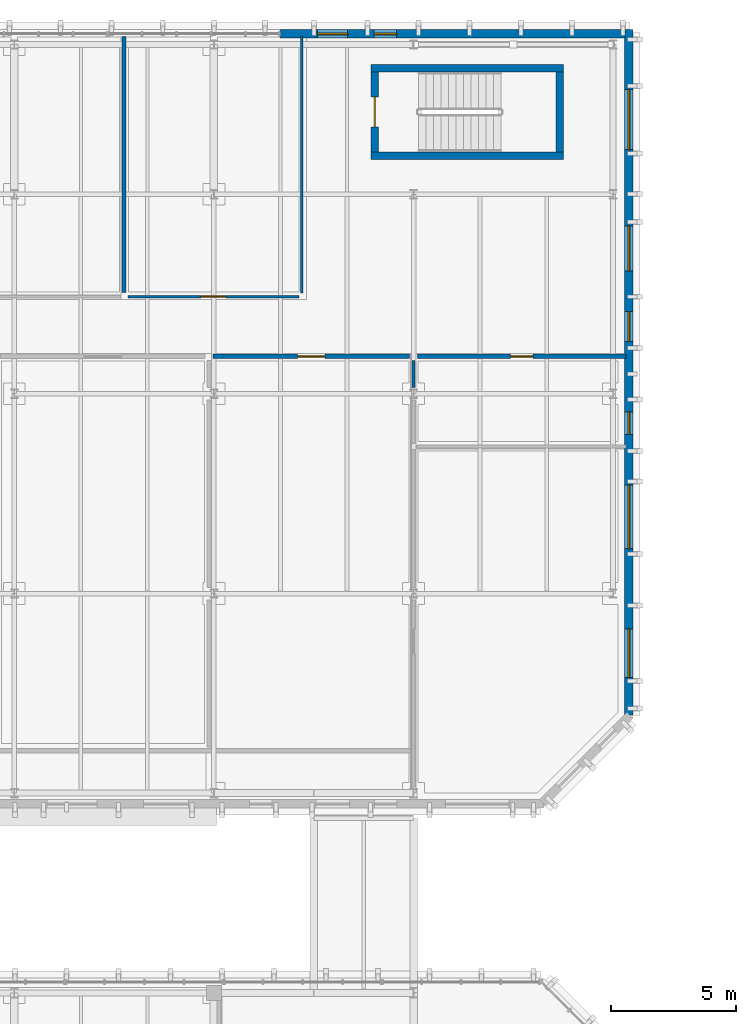
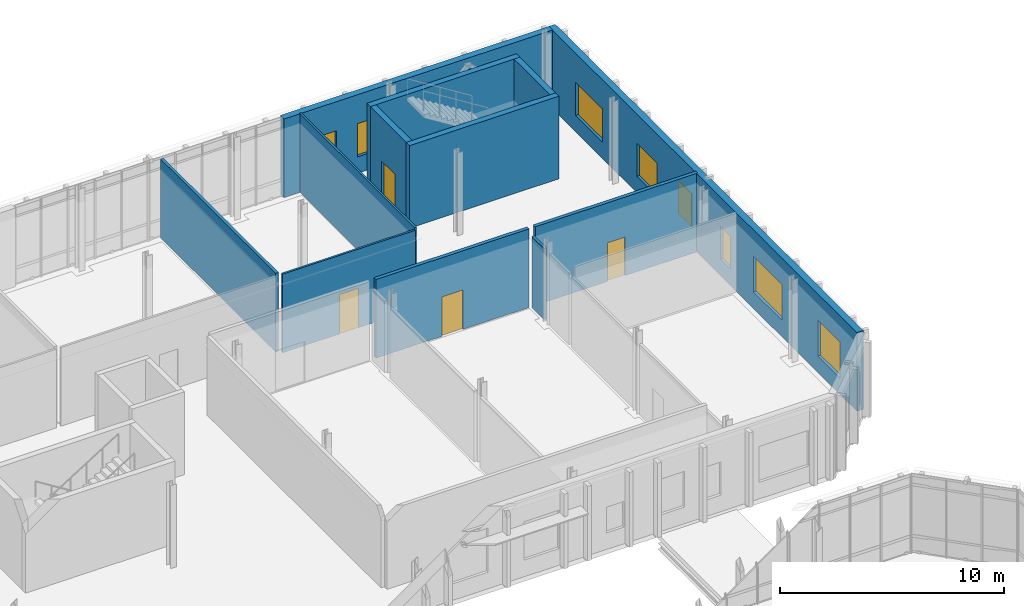
# One storey, part 44 of 62: 12 walls, 8 windows, 4 doors, 12 openings.
"""IFC4 building model written with IfcOpenShell, lengths in metres."""

from ifc_helpers import new_model, si_unit, direction, frame, frame_2d, origin, place, context, subcontext, project, spatial, rectangle, extrude, material, layer, layer_set, type_object, element, fill, save


model = new_model("IFC4")

# Units and contexts
model_context = context("Model", 3, precision=1e-05, world=origin(), true_north=direction((0.0, 1.0)))
body_context = subcontext(model_context, "Body", "Model", "MODEL_VIEW")
ifc_project = project(units=[si_unit("LENGTHUNIT", "METRE"), si_unit("AREAUNIT", "SQUARE_METRE"), si_unit("VOLUMEUNIT", "CUBIC_METRE"), si_unit("PLANEANGLEUNIT", "RADIAN"), si_unit("MASSUNIT", "GRAM", prefix="KILO")], contexts=[model_context])

# Site, building, storey
site_placement = place(None, origin())
site = spatial("IfcSite", under=ifc_project, at=site_placement, CompositionType="ELEMENT")
building_placement = place(site_placement, origin())
building = spatial("IfcBuilding", under=site, at=building_placement, Name="Cymarion Research Institute", CompositionType="ELEMENT")
storey_placement = place(building_placement, frame((0.0, 0.0, 18.300048828125)))
storey = spatial("IfcBuildingStorey", under=building, at=storey_placement, Name="L04", CompositionType="ELEMENT", Elevation=18.300048828125)

# Wall, openings, windows
ifc_material_1 = material(Name="Precast concrete C40/50", Category="concrete")
ifc_layer_1 = layer(ifc_material_1, 0.340087890625)
ifc_layer_set_1 = layer_set([ifc_layer_1], Name="Precast concrete C40/50")
wall_type_1 = type_object("IfcWallType", Name="EXTERIOR WALL EW-PC340 340MM", PredefinedType="SOLIDWALL", material=ifc_layer_set_1)
wall_1_placement = place(storey_placement, frame((47.22998046875, 88.622802734375, 0.0), z_axis=(0.0, 0.0, 1.0), x_axis=(0.0, 1.0, 0.0)))
wall_1 = element("IfcWall", 1, at=wall_1_placement, inside=storey, type_object=wall_type_1, Name="L04 V5 exterior wall EW-PC340 #215", PredefinedType="SOLIDWALL", context=body_context, shape_type="SweptSolid", body=[
    extrude(rectangle(XDim=27.477294921875, YDim=0.340087890625, at=frame_2d((13.73876953125, 0.0))), origin(), (0.0, 0.0, 1.0), 4.280029296875),
])
opening_1_placement = place(wall_1_placement, frame((1.513916015625, 0.0, 0.89990234375)))
opening_1 = element("IfcOpeningElement", 2, at=opening_1_placement, cuts=wall_1, Name="Opening W29", PredefinedType="OPENING", context=body_context, shape_type="SweptSolid", body=[
    extrude(rectangle(XDim=1.949951171875, YDim=1.949951171875, at=frame_2d((0.97509765625, 0.97509765625))), frame((0.0, 0.179931640625, 0.0), z_axis=(0.0, -1.0, 0.0), x_axis=(1.0, 0.0, 0.0)), (0.0, 0.0, 1.0), 0.360107421875),
])
opening_2_placement = place(wall_1_placement, frame((6.672119140625, 0.0, 0.89990234375)))
opening_2 = element("IfcOpeningElement", 3, at=opening_2_placement, cuts=wall_1, Name="Opening W31", PredefinedType="OPENING", context=body_context, shape_type="SweptSolid", body=[
    extrude(rectangle(XDim=2.550048828125, YDim=1.949951171875, at=frame_2d((1.27490234375, 0.97509765625))), frame((0.0, 0.179931640625, 0.0), z_axis=(0.0, -1.0, 0.0), x_axis=(1.0, 0.0, 0.0)), (0.0, 0.0, 1.0), 0.360107421875),
])
opening_3_placement = place(wall_1_placement, frame((11.257080078125, 0.0, 0.89990234375)))
opening_3 = element("IfcOpeningElement", 4, at=opening_3_placement, cuts=wall_1, Name="Opening W24", PredefinedType="OPENING", context=body_context, shape_type="SweptSolid", body=[
    extrude(rectangle(XDim=0.89990234375, YDim=1.800048828125, at=frame_2d((0.449951171875, 0.89990234375))), frame((0.0, 0.179931640625, 0.0), z_axis=(0.0, -1.0, 0.0), x_axis=(1.0, 0.0, 0.0)), (0.0, 0.0, 1.0), 0.360107421875),
])
opening_4_placement = place(wall_1_placement, frame((14.97705078125, 0.0, 0.89990234375)))
opening_4 = element("IfcOpeningElement", 5, at=opening_4_placement, cuts=wall_1, Name="Opening W01", PredefinedType="OPENING", context=body_context, shape_type="SweptSolid", body=[
    extrude(rectangle(XDim=1.199951171875, YDim=1.800048828125, at=frame_2d((0.60009765625, 0.89990234375))), frame((0.0, 0.179931640625, 0.0), z_axis=(0.0, -1.0, 0.0), x_axis=(1.0, 0.0, 0.0)), (0.0, 0.0, 1.0), 0.360107421875),
])
opening_5_placement = place(wall_1_placement, frame((17.806884765625, 0.0, 0.89990234375)))
opening_5 = element("IfcOpeningElement", 6, at=opening_5_placement, cuts=wall_1, Name="Opening W03", PredefinedType="OPENING", context=body_context, shape_type="SweptSolid", body=[
    extrude(rectangle(XDim=1.800048828125, YDim=1.800048828125, at=frame_2d((0.89990234375, 0.89990234375))), frame((0.0, 0.179931640625, 0.0), z_axis=(0.0, -1.0, 0.0), x_axis=(1.0, 0.0, 0.0)), (0.0, 0.0, 1.0), 0.360107421875),
])
opening_6_placement = place(wall_1_placement, frame((22.6669921875, 0.0, 0.89990234375)))
opening_6 = element("IfcOpeningElement", 7, at=opening_6_placement, cuts=wall_1, Name="Opening W05", PredefinedType="OPENING", context=body_context, shape_type="SweptSolid", body=[
    extrude(rectangle(XDim=2.39990234375, YDim=1.800048828125, at=frame_2d((1.199951171875, 0.89990234375))), frame((0.0, 0.179931640625, 0.0), z_axis=(0.0, -1.0, 0.0), x_axis=(1.0, 0.0, 0.0)), (0.0, 0.0, 1.0), 0.360107421875),
])
ifc_material_2 = material(Name="Thermally broken aluminium window with Low-E glazing", Category="aluminium")
window_type_1 = type_object("IfcWindowType", Name="THERMALLY BROKEN ALUMINIUM WINDOW W01 1200X1800", PartitioningType="SINGLE_PANEL", PredefinedType="WINDOW", material=ifc_material_2)
window_1_placement = place(opening_4_placement, origin())
window_1 = element("IfcWindow", 8, at=window_1_placement, inside=storey, type_object=window_type_1, Name="L04 V5 facade window W01 #399", OverallHeight=1.800048828125, OverallWidth=1.199951171875, PartitioningType="SINGLE_PANEL", PredefinedType="WINDOW", context=body_context, shape_type="SweptSolid", body=[
    extrude(rectangle(XDim=1.199951171875, YDim=1.800048828125, at=frame_2d((0.60009765625, 0.89990234375))), frame((0.0, 0.030029296875, 0.0), z_axis=(0.0, -1.0, 0.0), x_axis=(1.0, 0.0, 0.0)), (0.0, 0.0, 1.0), 0.06005859375),
])
fill(opening_4, window_1)
window_type_2 = type_object("IfcWindowType", Name="THERMALLY BROKEN ALUMINIUM WINDOW W03 1800X1800", PartitioningType="DOUBLE_PANEL_VERTICAL", PredefinedType="WINDOW", material=ifc_material_2)
window_2_placement = place(opening_5_placement, origin())
window_2 = element("IfcWindow", 9, at=window_2_placement, inside=storey, type_object=window_type_2, Name="L04 V5 facade window W03 #400", OverallHeight=1.800048828125, OverallWidth=1.800048828125, PartitioningType="SINGLE_PANEL", PredefinedType="WINDOW", context=body_context, shape_type="SweptSolid", body=[
    extrude(rectangle(XDim=1.800048828125, YDim=1.800048828125, at=frame_2d((0.89990234375, 0.89990234375))), frame((0.0, 0.030029296875, 0.0), z_axis=(0.0, -1.0, 0.0), x_axis=(1.0, 0.0, 0.0)), (0.0, 0.0, 1.0), 0.06005859375),
])
fill(opening_5, window_2)
window_type_3 = type_object("IfcWindowType", Name="THERMALLY BROKEN ALUMINIUM WINDOW W05 2400X1800", PartitioningType="TRIPLE_PANEL_VERTICAL", PredefinedType="WINDOW", material=ifc_material_2)
window_3_placement = place(opening_6_placement, origin())
window_3 = element("IfcWindow", 10, at=window_3_placement, inside=storey, type_object=window_type_3, Name="L04 V5 facade window W05 #401", OverallHeight=1.800048828125, OverallWidth=2.39990234375, PartitioningType="SINGLE_PANEL", PredefinedType="WINDOW", context=body_context, shape_type="SweptSolid", body=[
    extrude(rectangle(XDim=2.39990234375, YDim=1.800048828125, at=frame_2d((1.199951171875, 0.89990234375))), frame((0.0, 0.030029296875, 0.0), z_axis=(0.0, -1.0, 0.0), x_axis=(1.0, 0.0, 0.0)), (0.0, 0.0, 1.0), 0.06005859375),
])
fill(opening_6, window_3)
window_type_4 = type_object("IfcWindowType", Name="THERMALLY BROKEN ALUMINIUM WINDOW W24 900X1800", PartitioningType="SINGLE_PANEL", PredefinedType="WINDOW", material=ifc_material_2)
window_4_placement = place(opening_3_placement, origin())
window_4 = element("IfcWindow", 11, at=window_4_placement, inside=storey, type_object=window_type_4, Name="L04 V5 facade window W24 #398", OverallHeight=1.800048828125, OverallWidth=0.89990234375, PartitioningType="SINGLE_PANEL", PredefinedType="WINDOW", context=body_context, shape_type="SweptSolid", body=[
    extrude(rectangle(XDim=0.89990234375, YDim=1.800048828125, at=frame_2d((0.449951171875, 0.89990234375))), frame((0.0, 0.030029296875, 0.0), z_axis=(0.0, -1.0, 0.0), x_axis=(1.0, 0.0, 0.0)), (0.0, 0.0, 1.0), 0.06005859375),
])
fill(opening_3, window_4)
window_type_5 = type_object("IfcWindowType", Name="THERMALLY BROKEN ALUMINIUM WINDOW W29 1950X1950", PartitioningType="DOUBLE_PANEL_VERTICAL", PredefinedType="WINDOW", material=ifc_material_2)
window_5_placement = place(opening_1_placement, origin())
window_5 = element("IfcWindow", 12, at=window_5_placement, inside=storey, type_object=window_type_5, Name="L04 V5 facade window W29 #396", OverallHeight=1.949951171875, OverallWidth=1.949951171875, PartitioningType="SINGLE_PANEL", PredefinedType="WINDOW", context=body_context, shape_type="SweptSolid", body=[
    extrude(rectangle(XDim=1.949951171875, YDim=1.949951171875, at=frame_2d((0.97509765625, 0.97509765625))), frame((0.0, 0.030029296875, 0.0), z_axis=(0.0, -1.0, 0.0), x_axis=(1.0, 0.0, 0.0)), (0.0, 0.0, 1.0), 0.06005859375),
])
fill(opening_1, window_5)
window_type_6 = type_object("IfcWindowType", Name="THERMALLY BROKEN ALUMINIUM WINDOW W31 2550X1950", PartitioningType="TRIPLE_PANEL_VERTICAL", PredefinedType="WINDOW", material=ifc_material_2)
window_6_placement = place(opening_2_placement, origin())
window_6 = element("IfcWindow", 13, at=window_6_placement, inside=storey, type_object=window_type_6, Name="L04 V5 facade window W31 #397", OverallHeight=1.949951171875, OverallWidth=2.550048828125, PartitioningType="SINGLE_PANEL", PredefinedType="WINDOW", context=body_context, shape_type="SweptSolid", body=[
    extrude(rectangle(XDim=2.550048828125, YDim=1.949951171875, at=frame_2d((1.27490234375, 0.97509765625))), frame((0.0, 0.030029296875, 0.0), z_axis=(0.0, -1.0, 0.0), x_axis=(1.0, 0.0, 0.0)), (0.0, 0.0, 1.0), 0.06005859375),
])
fill(opening_2, window_6)

wall_2_placement = place(storey_placement, frame((47.077880859375, 115.929931640625, 0.0), z_axis=(0.0, 0.0, 1.0), x_axis=(-1.0, 0.0, 0.0)))
wall_2 = element("IfcWall", 14, at=wall_2_placement, inside=storey, type_object=wall_type_1, Name="L04 V5 facade pier wall EW-PC340 #216", PredefinedType="SOLIDWALL", context=body_context, shape_type="SweptSolid", body=[
    extrude(rectangle(XDim=13.825927734375, YDim=0.340087890625, at=frame_2d((6.9130859375, 0.0))), origin(), (0.0, 0.0, 1.0), 4.280029296875),
])
opening_7_placement = place(wall_2_placement, frame((9.157958984375, 0.0, 0.89990234375)))
opening_7 = element("IfcOpeningElement", 15, at=opening_7_placement, cuts=wall_2, Name="Opening W24", PredefinedType="OPENING", context=body_context, shape_type="SweptSolid", body=[
    extrude(rectangle(XDim=0.89990234375, YDim=1.800048828125, at=frame_2d((0.449951171875, 0.89990234375))), frame((0.0, 0.179931640625, 0.0), z_axis=(0.0, -1.0, 0.0), x_axis=(1.0, 0.0, 0.0)), (0.0, 0.0, 1.0), 0.360107421875),
])
opening_8_placement = place(wall_2_placement, frame((11.117919921875, 0.0, 0.89990234375)))
opening_8 = element("IfcOpeningElement", 16, at=opening_8_placement, cuts=wall_2, Name="Opening W01", PredefinedType="OPENING", context=body_context, shape_type="SweptSolid", body=[
    extrude(rectangle(XDim=1.199951171875, YDim=1.800048828125, at=frame_2d((0.60009765625, 0.89990234375))), frame((0.0, 0.179931640625, 0.0), z_axis=(0.0, -1.0, 0.0), x_axis=(1.0, 0.0, 0.0)), (0.0, 0.0, 1.0), 0.360107421875),
])
window_7_placement = place(opening_8_placement, origin())
window_7 = element("IfcWindow", 17, at=window_7_placement, inside=storey, type_object=window_type_1, Name="L04 V5 facade window W01 #403", OverallHeight=1.800048828125, OverallWidth=1.199951171875, PartitioningType="SINGLE_PANEL", PredefinedType="WINDOW", context=body_context, shape_type="SweptSolid", body=[
    extrude(rectangle(XDim=1.199951171875, YDim=1.800048828125, at=frame_2d((0.60009765625, 0.89990234375))), frame((0.0, 0.030029296875, 0.0), z_axis=(0.0, -1.0, 0.0), x_axis=(1.0, 0.0, 0.0)), (0.0, 0.0, 1.0), 0.06005859375),
])
fill(opening_8, window_7)
window_8_placement = place(opening_7_placement, origin())
window_8 = element("IfcWindow", 18, at=window_8_placement, inside=storey, type_object=window_type_4, Name="L04 V5 facade window W24 #402", OverallHeight=1.800048828125, OverallWidth=0.89990234375, PartitioningType="SINGLE_PANEL", PredefinedType="WINDOW", context=body_context, shape_type="SweptSolid", body=[
    extrude(rectangle(XDim=0.89990234375, YDim=1.800048828125, at=frame_2d((0.449951171875, 0.89990234375))), frame((0.0, 0.030029296875, 0.0), z_axis=(0.0, -1.0, 0.0), x_axis=(1.0, 0.0, 0.0)), (0.0, 0.0, 1.0), 0.06005859375),
])
fill(opening_7, window_8)

# Walls
ifc_material_3 = material(Name="Gypsum acoustic double-stud partition", Category="gypsum")
ifc_layer_2 = layer(ifc_material_3, 0.14990234375)
ifc_layer_set_2 = layer_set([ifc_layer_2], Name="Gypsum acoustic double-stud partition")
wall_type_2 = type_object("IfcWallType", Name="INTERIOR PARTITION IW-AC150 150MM", PredefinedType="PARTITIONING", material=ifc_layer_set_2)
wall_3_placement = place(storey_placement, frame((27.0, 105.56005859375, 0.0), z_axis=(0.0, 0.0, 1.0), x_axis=(0.0, 1.0, 0.0)))
element("IfcWall", 19, at=wall_3_placement, inside=storey, type_object=wall_type_2, Name="L04 V5 interior partition IW-AC150 #307", PredefinedType="PARTITIONING", context=body_context, shape_type="SweptSolid", body=[
    extrude(rectangle(XDim=10.2548828125, YDim=0.14990234375, at=frame_2d((5.12744140625, 0.0))), origin(), (0.0, 0.0, 1.0), 4.280029296875),
])
ifc_material_4 = material(Name="Framed acoustic glass laboratory screen", Category="glass")
ifc_layer_3 = layer(ifc_material_4, 0.10009765625)
ifc_layer_set_3 = layer_set([ifc_layer_3], Name="Framed acoustic glass laboratory screen")
wall_type_3 = type_object("IfcWallType", Name="INTERIOR PARTITION IW-GL100 100MM", PredefinedType="PARTITIONING", material=ifc_layer_set_3)
wall_4_placement = place(storey_placement, frame((34.1201171875, 105.5400390625, 0.0), z_axis=(0.0, 0.0, 1.0), x_axis=(0.0, 1.0, 0.0)))
element("IfcWall", 20, at=wall_4_placement, inside=storey, type_object=wall_type_3, Name="L04 V5 interior partition IW-GL100 #308", PredefinedType="PARTITIONING", context=body_context, shape_type="SweptSolid", body=[
    extrude(rectangle(XDim=10.27490234375, YDim=0.10009765625, at=frame_2d((5.137451171875, 0.0))), origin(), (0.0, 0.0, 1.0), 4.280029296875),
])

# Wall, opening, door
wall_5_placement = place(storey_placement, frame((27.159912109375, 105.39990234375, 0.0), z_axis=(0.0, 0.0, 1.0), x_axis=(1.0, 0.0, 0.0)))
wall_5 = element("IfcWall", 21, at=wall_5_placement, inside=storey, type_object=wall_type_3, Name="L04 V5 interior partition IW-GL100 #311", PredefinedType="PARTITIONING", context=body_context, shape_type="SweptSolid", body=[
    extrude(rectangle(XDim=6.840087890625, YDim=0.10009765625, at=frame_2d((3.419921875, 0.0))), origin(), (0.0, 0.0, 1.0), 4.280029296875),
])
opening_9_placement = place(wall_5_placement, frame((2.919921875, 0.0, 0.0)))
opening_9 = element("IfcOpeningElement", 22, at=opening_9_placement, cuts=wall_5, Name="Opening D-L04-188", PredefinedType="OPENING", context=body_context, shape_type="SweptSolid", body=[
    extrude(rectangle(XDim=1.0, YDim=2.14990234375, at=frame_2d((0.5, 1.074951171875))), frame((0.0, 0.06005859375, 0.0), z_axis=(0.0, -1.0, 0.0), x_axis=(1.0, 0.0, 0.0)), (0.0, 0.0, 1.0), 0.1201171875),
])
ifc_material_5 = material(Name="Flush acoustic timber/steel door assembly", Category="steel")
door_type_1 = type_object("IfcDoorType", Name="LABORATORY SINGLE LEAF DOOR DT-LB100 1000X2150", OperationType="NOTDEFINED", PredefinedType="DOOR", material=ifc_material_5)
door_1_placement = place(opening_9_placement, origin())
door_1 = element("IfcDoor", 23, at=door_1_placement, inside=storey, type_object=door_type_1, Name="L04 AI Visualization Lab door D-L04-188", OperationType="SINGLE_SWING_LEFT", OverallHeight=2.14990234375, OverallWidth=1.0, PredefinedType="DOOR", context=body_context, shape_type="SweptSolid", body=[
    extrude(rectangle(XDim=1.0, YDim=2.14990234375, at=frame_2d((0.5, 1.074951171875))), frame((0.0, 0.02490234375, 0.0), z_axis=(0.0, -1.0, 0.0), x_axis=(1.0, 0.0, 0.0)), (0.0, 0.0, 1.0), 0.050048828125),
])
fill(opening_9, door_1)

ifc_material_6 = material(Name="Moisture-resistant laboratory partition", Category="gypsum")
ifc_layer_4 = layer(ifc_material_6, 0.179931640625)
ifc_layer_set_4 = layer_set([ifc_layer_4], Name="Moisture-resistant laboratory partition")
wall_type_4 = type_object("IfcWallType", Name="INTERIOR PARTITION IW-LB180 180MM", PredefinedType="PARTITIONING", material=ifc_layer_set_4)
wall_6_placement = place(storey_placement, frame((30.56005859375, 103.0, 0.0), z_axis=(0.0, 0.0, 1.0), x_axis=(1.0, 0.0, 0.0)))
wall_6 = element("IfcWall", 24, at=wall_6_placement, inside=storey, type_object=wall_type_4, Name="L04 V5 interior partition IW-LB180 #304", PredefinedType="PARTITIONING", context=body_context, shape_type="SweptSolid", body=[
    extrude(rectangle(XDim=7.8798828125, YDim=0.179931640625, at=frame_2d((3.93994140625, 0.0))), origin(), (0.0, 0.0, 1.0), 4.280029296875),
])
opening_10_placement = place(wall_6_placement, frame((3.389892578125, 0.0, 0.0)))
opening_10 = element("IfcOpeningElement", 25, at=opening_10_placement, cuts=wall_6, Name="Opening D-L04-184", PredefinedType="OPENING", context=body_context, shape_type="SweptSolid", body=[
    extrude(rectangle(XDim=1.10009765625, YDim=2.14990234375, at=frame_2d((0.550048828125, 1.074951171875))), frame((0.0, 0.099853515625, 0.0), z_axis=(0.0, -1.0, 0.0), x_axis=(1.0, 0.0, 0.0)), (0.0, 0.0, 1.0), 0.199951171875),
])
door_type_2 = type_object("IfcDoorType", Name="LABORATORY WIDE SINGLE DOOR DT-LB110 1100X2150", OperationType="NOTDEFINED", PredefinedType="DOOR", material=ifc_material_5)
door_2_placement = place(opening_10_placement, origin())
door_2 = element("IfcDoor", 26, at=door_2_placement, inside=storey, type_object=door_type_2, Name="L04 Server Cluster door D-L04-184", OperationType="SINGLE_SWING_LEFT", OverallHeight=2.14990234375, OverallWidth=1.10009765625, PredefinedType="DOOR", context=body_context, shape_type="SweptSolid", body=[
    extrude(rectangle(XDim=1.10009765625, YDim=2.14990234375, at=frame_2d((0.550048828125, 1.074951171875))), frame((0.0, 0.02490234375, 0.0), z_axis=(0.0, -1.0, 0.0), x_axis=(1.0, 0.0, 0.0)), (0.0, 0.0, 1.0), 0.050048828125),
])
fill(opening_10, door_2)

wall_7_placement = place(storey_placement, frame((38.760009765625, 103.0, 0.0), z_axis=(0.0, 0.0, 1.0), x_axis=(1.0, 0.0, 0.0)))
wall_7 = element("IfcWall", 27, at=wall_7_placement, inside=storey, type_object=wall_type_4, Name="L04 V5 interior partition IW-LB180 #305", PredefinedType="PARTITIONING", context=body_context, shape_type="SweptSolid", body=[
    extrude(rectangle(XDim=8.35498046875, YDim=0.179931640625, at=frame_2d((4.177490234375, 0.0))), origin(), (0.0, 0.0, 1.0), 4.280029296875),
])
opening_11_placement = place(wall_7_placement, frame((3.72802734375, 0.0, 0.0)))
opening_11 = element("IfcOpeningElement", 28, at=opening_11_placement, cuts=wall_7, Name="Opening D-L04-185", PredefinedType="OPENING", context=body_context, shape_type="SweptSolid", body=[
    extrude(rectangle(XDim=0.89990234375, YDim=2.10009765625, at=frame_2d((0.449951171875, 1.050048828125))), frame((0.0, 0.099853515625, 0.0), z_axis=(0.0, -1.0, 0.0), x_axis=(1.0, 0.0, 0.0)), (0.0, 0.0, 1.0), 0.199951171875),
])
door_type_3 = type_object("IfcDoorType", Name="ACCESSIBLE RESTROOM DOOR DT-WC090 900X2100", OperationType="NOTDEFINED", PredefinedType="DOOR", material=ifc_material_5)
door_3_placement = place(opening_11_placement, origin())
door_3 = element("IfcDoor", 29, at=door_3_placement, inside=storey, type_object=door_type_3, Name="L04 Restroom door D-L04-185", OperationType="SINGLE_SWING_RIGHT", OverallHeight=2.10009765625, OverallWidth=0.89990234375, PredefinedType="DOOR", context=body_context, shape_type="SweptSolid", body=[
    extrude(rectangle(XDim=0.89990234375, YDim=2.10009765625, at=frame_2d((0.449951171875, 1.050048828125))), frame((0.0, 0.02490234375, 0.0), z_axis=(0.0, -1.0, 0.0), x_axis=(1.0, 0.0, 0.0)), (0.0, 0.0, 1.0), 0.050048828125),
])
fill(opening_11, door_3)

# Walls
ifc_material_7 = material(Name="Service riser shaft wall", Category="gypsum")
ifc_layer_5 = layer(ifc_material_7, 0.1201171875)
ifc_layer_set_5 = layer_set([ifc_layer_5], Name="Service riser shaft wall")
wall_type_5 = type_object("IfcWallType", Name="INTERIOR PARTITION IW-SH120 120MM", PredefinedType="PARTITIONING", material=ifc_layer_set_5)
wall_8_placement = place(storey_placement, frame((38.60009765625, 101.75, 0.0), z_axis=(0.0, 0.0, 1.0), x_axis=(0.0, 1.0, 0.0)))
element("IfcWall", 30, at=wall_8_placement, inside=storey, type_object=wall_type_5, Name="L04 V5 interior partition IW-SH120 #302", PredefinedType="PARTITIONING", context=body_context, shape_type="SweptSolid", body=[
    extrude(rectangle(XDim=1.090087890625, YDim=0.1201171875, at=frame_2d((0.544921875, 0.0))), origin(), (0.0, 0.0, 1.0), 3.8798828125),
])
ifc_material_8 = material(Name="Concrete C40/50", Category="concrete")
ifc_layer_6 = layer(ifc_material_8, 0.300048828125)
ifc_layer_set_6 = layer_set([ifc_layer_6], Name="Concrete C40/50")
wall_type_6 = type_object("IfcWallType", Name="REINFORCED CONCRETE CORE WALL CW-SH300 300MM", PredefinedType="SHEAR", material=ifc_layer_set_6)
for number, where, z_axis, x_axis, name in (
    (31, (36.89990234375, 111.050048828125, 0.0), (0.0, 0.0, 1.0), (1.0, 0.0, 0.0), "L04 SHW-C10-L04 south core wall"),
    (32, (44.60009765625, 114.550048828125, 0.0), (0.0, 0.0, 1.0), (-1.0, 0.0, 0.0), "L04 SHW-C10-L04 north core wall"),
):
    element("IfcWall", number, at=place(storey_placement, frame(where, z_axis=z_axis, x_axis=x_axis)), inside=storey, type_object=wall_type_6, Name=name, PredefinedType="SHEAR", context=body_context, shape_type="SweptSolid", body=[
        extrude(rectangle(XDim=7.7001953125, YDim=0.300048828125, at=frame_2d((3.85009765625, 0.0))), origin(), (0.0, 0.0, 1.0), 4.5),
    ])

# Wall, opening, door
wall_9_placement = place(storey_placement, frame((37.050048828125, 114.39990234375, 0.0), z_axis=(0.0, 0.0, 1.0), x_axis=(0.0, -1.0, 0.0)))
wall_9 = element("IfcWall", 33, at=wall_9_placement, inside=storey, type_object=wall_type_6, Name="L04 SHW-C10-L04 west core wall", PredefinedType="SHEAR", context=body_context, shape_type="SweptSolid", body=[
    extrude(rectangle(XDim=3.199951171875, YDim=0.300048828125, at=frame_2d((1.60009765625, 0.0))), origin(), (0.0, 0.0, 1.0), 4.5),
])
opening_12_placement = place(wall_9_placement, frame((1.0, 0.0, 0.0)))
opening_12 = element("IfcOpeningElement", 34, at=opening_12_placement, cuts=wall_9, Name="Opening FD-L04-ST10", PredefinedType="OPENING", context=body_context, shape_type="SweptSolid", body=[
    extrude(rectangle(XDim=1.199951171875, YDim=2.14990234375, at=frame_2d((0.60009765625, 1.074951171875))), frame((0.0, 0.159912109375, 0.0), z_axis=(0.0, -1.0, 0.0), x_axis=(1.0, 0.0, 0.0)), (0.0, 0.0, 1.0), 0.320068359375),
])
ifc_material_9 = material(Name="Fire-rated insulated steel door assembly", Category="steel")
door_type_4 = type_object("IfcDoorType", Name="SMOKE PROOF STAIR FIRE DOOR DT-ST120 1200X2150", OperationType="NOTDEFINED", PredefinedType="DOOR", material=ifc_material_9)
door_4_placement = place(opening_12_placement, origin())
door_4 = element("IfcDoor", 35, at=door_4_placement, inside=storey, type_object=door_type_4, Name="L04 ST10 smoke-proof stair door FD-L04-ST10", OperationType="SINGLE_SWING_LEFT", OverallHeight=2.14990234375, OverallWidth=1.199951171875, PredefinedType="DOOR", context=body_context, shape_type="SweptSolid", body=[
    extrude(rectangle(XDim=1.199951171875, YDim=2.14990234375, at=frame_2d((0.60009765625, 1.074951171875))), frame((0.0, 0.02490234375, 0.0), z_axis=(0.0, -1.0, 0.0), x_axis=(1.0, 0.0, 0.0)), (0.0, 0.0, 1.0), 0.050048828125),
])
fill(opening_12, door_4)

# Wall
wall_10_placement = place(storey_placement, frame((44.449951171875, 111.199951171875, 0.0), z_axis=(0.0, 0.0, 1.0), x_axis=(0.0, 1.0, 0.0)))
element("IfcWall", 36, at=wall_10_placement, inside=storey, type_object=wall_type_6, Name="L04 SHW-C10-L04 east core wall", PredefinedType="SHEAR", context=body_context, shape_type="SweptSolid", body=[
    extrude(rectangle(XDim=3.199951171875, YDim=0.300048828125, at=frame_2d((1.60009765625, 0.0))), origin(), (0.0, 0.0, 1.0), 4.5),
])

save(model, "model.ifc")
